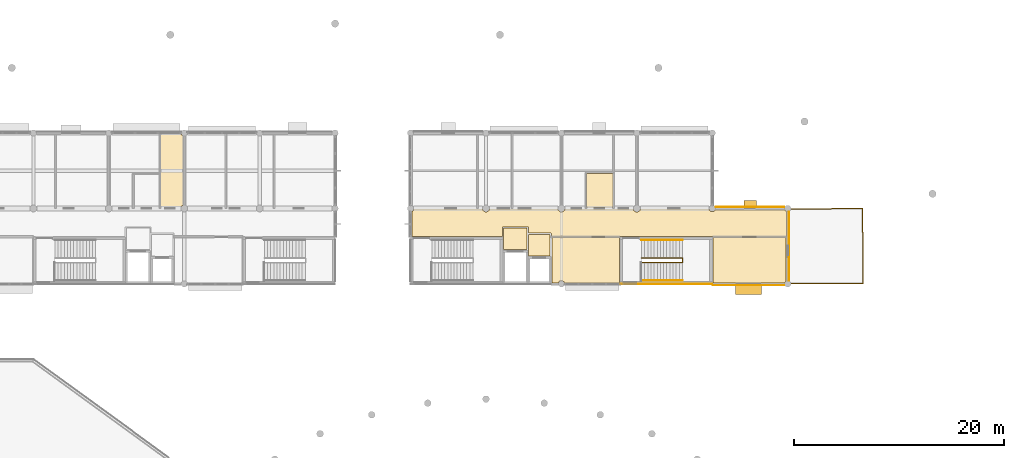
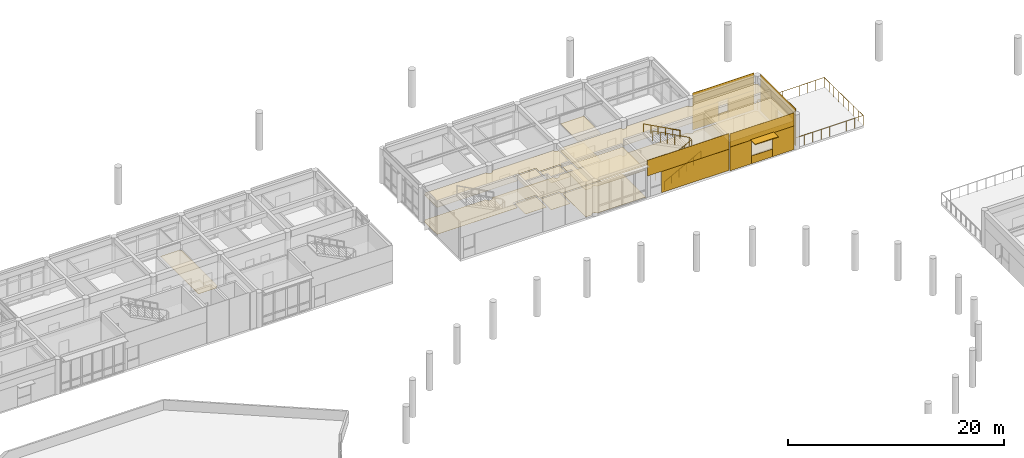
# One storey, part 51 of 55: 26 coverings, 4 railings, 2 shading devices.
"""IFC4 building model written with IfcOpenShell, lengths in metres."""

from ifc_helpers import new_model, si_unit, direction, frame, origin, origin_2d, place, context, subcontext, project, spatial, polyline, rectangle, circle, outline, extrude, material, layer, layer_set, type_object, element, save


model = new_model("IFC4")

# Units and contexts
model_context = context("Model", 3, precision=1e-05, world=origin(), true_north=direction((0.0, 1.0)))
body_context = subcontext(model_context, "Body", "Model", "MODEL_VIEW")
ifc_project = project(units=[si_unit("LENGTHUNIT", "METRE"), si_unit("AREAUNIT", "SQUARE_METRE"), si_unit("VOLUMEUNIT", "CUBIC_METRE"), si_unit("PLANEANGLEUNIT", "RADIAN"), si_unit("MASSUNIT", "GRAM", prefix="KILO")], contexts=[model_context])

# Site, building, storey
site_placement = place(None, origin())
site = spatial("IfcSite", under=ifc_project, at=site_placement, CompositionType="ELEMENT")
building_placement = place(site_placement, origin())
building = spatial("IfcBuilding", under=site, at=building_placement, Name="Namkhue Oval Health Centre", CompositionType="ELEMENT")
storey_placement = place(building_placement, frame((0.0, 0.0, 9.60009765625)))
storey = spatial("IfcBuildingStorey", under=building, at=storey_placement, Name="L02", CompositionType="ELEMENT", Elevation=9.60009765625)

# Coverings
ifc_material_1 = material(Name="Acoustic mineral-fibre cleanroom ceiling", Category="gypsum")
ifc_layer_1 = layer(ifc_material_1, 0.02001953125)
ifc_layer_set_1 = layer_set([ifc_layer_1], Name="Acoustic mineral-fibre cleanroom ceiling")
covering_type_1 = type_object("IfcCoveringType", Name="ACOUSTIC CLEANROOM CEILING 20", PredefinedType="CEILING", material=ifc_layer_set_1)
covering_1_placement = place(storey_placement, frame((0.0, 0.0, 3.0498046875)))
element("IfcCovering", 1, at=covering_1_placement, inside=storey, type_object=covering_type_1, Name="Acoustic Ceiling L02-LL3 Lift Lobby LF-03", PredefinedType="CEILING", context=body_context, shape_type="SweptSolid", body=[
    extrude(outline(polyline([(102.47998046875, 93.280029296875), (102.47998046875, 95.320068359375), (104.719970703125, 95.320068359375), (104.719970703125, 93.280029296875), (102.47998046875, 93.280029296875)])), origin(), (0.0, 0.0, 1.0), 0.02001953125),
])
covering_2_placement = place(storey_placement, frame((0.0, 0.0, 3.0498046875)))
element("IfcCovering", 2, at=covering_2_placement, inside=storey, type_object=covering_type_1, Name="Acoustic Ceiling L02-LL4 Lift Lobby LF-04", PredefinedType="CEILING", context=body_context, shape_type="SweptSolid", body=[
    extrude(outline(polyline([(104.8798828125, 92.679931640625), (104.8798828125, 94.719970703125), (106.919921875, 94.719970703125), (106.919921875, 92.679931640625), (104.8798828125, 92.679931640625)])), origin(), (0.0, 0.0, 1.0), 0.02001953125),
])
covering_3_placement = place(storey_placement, frame((0.0, 0.0, 3.0498046875)))
element("IfcCovering", 3, at=covering_3_placement, inside=storey, type_object=covering_type_1, Name="Acoustic Ceiling L02-V3-C1 V3 Clinical Corridor", PredefinedType="CEILING", context=body_context, shape_type="SweptSolid", body=[
    extrude(outline(polyline([(107.0400390625, 94.800048828125), (107.037109375, 94.815185546875), (107.0283203125, 94.828369140625), (107.015380859375, 94.8369140625), (107.0, 94.840087890625), (104.840087890625, 94.840087890625), (104.83984375, 95.40380859375), (104.8369140625, 95.415283203125), (104.828369140625, 95.42822265625), (104.815185546875, 95.43701171875), (104.803955078125, 95.439697265625), (102.39990234375, 95.43994140625), (102.384765625, 95.43701171875), (102.37158203125, 95.42822265625), (102.363037109375, 95.415283203125), (102.360107421875, 95.39990234375), (102.360107421875, 94.5400390625), (93.72509765625, 94.5400390625), (93.72509765625, 96.919189453125), (93.7548828125, 96.931396484375), (93.819091796875, 96.980712890625), (93.868408203125, 97.044921875), (93.8994140625, 97.119873046875), (93.90478515625, 97.159912109375), (100.47021484375, 97.159912109375), (100.476318359375, 97.11328125), (100.510009765625, 97.032470703125), (100.56298828125, 96.963134765625), (100.632568359375, 96.909912109375), (100.71337890625, 96.87646484375), (100.800048828125, 96.864990234375), (100.88671875, 96.87646484375), (100.967529296875, 96.909912109375), (101.036865234375, 96.963134765625), (101.090087890625, 97.032470703125), (101.12353515625, 97.11328125), (101.129638671875, 97.159912109375), (107.67041015625, 97.159912109375), (107.676513671875, 97.11328125), (107.7099609375, 97.032470703125), (107.76318359375, 96.963134765625), (107.83251953125, 96.909912109375), (107.913330078125, 96.87646484375), (108.0, 96.864990234375), (108.086669921875, 96.87646484375), (108.16748046875, 96.909912109375), (108.23681640625, 96.963134765625), (108.2900390625, 97.032470703125), (108.323486328125, 97.11328125), (108.32958984375, 97.159912109375), (114.870361328125, 97.159912109375), (114.87646484375, 97.11328125), (114.909912109375, 97.032470703125), (114.963134765625, 96.963134765625), (115.032470703125, 96.909912109375), (115.11328125, 96.87646484375), (115.199951171875, 96.864990234375), (115.28662109375, 96.87646484375), (115.367431640625, 96.909912109375), (115.43701171875, 96.963134765625), (115.489990234375, 97.032470703125), (115.523681640625, 97.11328125), (115.52978515625, 97.159912109375), (122.09521484375, 97.159912109375), (122.1005859375, 97.119873046875), (122.131591796875, 97.044921875), (122.180908203125, 96.980712890625), (122.2451171875, 96.931396484375), (122.31982421875, 96.900634765625), (122.39990234375, 96.889892578125), (122.480224609375, 96.900634765625), (122.554931640625, 96.931396484375), (122.619140625, 96.980712890625), (122.66845703125, 97.044921875), (122.680908203125, 97.074951171875), (129.319091796875, 97.074951171875), (129.33154296875, 97.044921875), (129.380859375, 96.980712890625), (129.445068359375, 96.931396484375), (129.47509765625, 96.919189453125), (129.47509765625, 94.5400390625), (107.0400390625, 94.5400390625), (107.0400390625, 94.800048828125)])), origin(), (0.0, 0.0, 1.0), 0.02001953125),
])
covering_4_placement = place(storey_placement, frame((0.0, 0.0, 3.0498046875)))
element("IfcCovering", 4, at=covering_4_placement, inside=storey, type_object=covering_type_1, Name="Acoustic Ceiling L02-305 Accessible WC", PredefinedType="CEILING", context=body_context, shape_type="SweptSolid", body=[
    extrude(outline(polyline([(112.89990234375, 100.5400390625), (112.89990234375, 97.280029296875), (110.39990234375, 97.280029296875), (110.39990234375, 100.5400390625), (112.89990234375, 100.5400390625)])), origin(), (0.0, 0.0, 1.0), 0.02001953125),
])
covering_5_placement = place(storey_placement, frame((0.0, 0.0, 3.0498046875)))
element("IfcCovering", 5, at=covering_5_placement, inside=storey, type_object=covering_type_1, Name="Acoustic Ceiling L02-308 East Terrace Recovery Lounge", PredefinedType="CEILING", context=body_context, shape_type="SweptSolid", body=[
    extrude(outline(polyline([(108.297607421875, 90.0849609375), (108.2685546875, 90.155029296875), (108.21923828125, 90.21923828125), (108.155029296875, 90.2685546875), (108.080078125, 90.29931640625), (108.0, 90.31005859375), (107.919921875, 90.29931640625), (107.844970703125, 90.2685546875), (107.78076171875, 90.21923828125), (107.7314453125, 90.155029296875), (107.702392578125, 90.0849609375), (107.080078125, 90.0849609375), (107.080078125, 94.419921875), (113.52001953125, 94.419921875), (113.52001953125, 90.0849609375), (108.297607421875, 90.0849609375)])), origin(), (0.0, 0.0, 1.0), 0.02001953125),
])
covering_6_placement = place(storey_placement, frame((0.0, 0.0, 3.0498046875)))
element("IfcCovering", 6, at=covering_6_placement, inside=storey, type_object=covering_type_1, Name="Acoustic Ceiling L02-309 Hepatology Consultation Suite", PredefinedType="CEILING", context=body_context, shape_type="SweptSolid", body=[
    extrude(outline(polyline([(122.47998046875, 90.0849609375), (122.47998046875, 94.419921875), (129.455078125, 94.419921875), (129.455078125, 90.272705078125), (129.445068359375, 90.2685546875), (129.380859375, 90.21923828125), (129.33154296875, 90.155029296875), (129.302490234375, 90.0849609375), (122.47998046875, 90.0849609375)])), origin(), (0.0, 0.0, 1.0), 0.02001953125),
])
ifc_material_2 = material(Name="Homogeneous anti-bacterial clinical vinyl flooring", Category="plastic")
ifc_layer_2 = layer(ifc_material_2, 0.014892578125)
ifc_layer_set_2 = layer_set([ifc_layer_2], Name="Homogeneous anti-bacterial clinical vinyl flooring")
covering_type_2 = type_object("IfcCoveringType", Name="CLINICAL ANTIBACTERIAL VINYL FLOORING 15", PredefinedType="FLOORING", material=ifc_layer_set_2)
covering_7_placement = place(storey_placement, origin())
element("IfcCovering", 7, at=covering_7_placement, inside=storey, type_object=covering_type_2, Name="Clinical Flooring L02-LL3 Lift Lobby LF-03", PredefinedType="FLOORING", context=body_context, shape_type="SweptSolid", body=[
    extrude(outline(polyline([(102.47998046875, 93.280029296875), (102.47998046875, 95.320068359375), (104.719970703125, 95.320068359375), (104.719970703125, 93.280029296875), (102.47998046875, 93.280029296875)])), origin(), (0.0, 0.0, 1.0), 0.014892578125),
])
covering_8_placement = place(storey_placement, origin())
element("IfcCovering", 8, at=covering_8_placement, inside=storey, type_object=covering_type_2, Name="Clinical Flooring L02-LL4 Lift Lobby LF-04", PredefinedType="FLOORING", context=body_context, shape_type="SweptSolid", body=[
    extrude(outline(polyline([(104.8798828125, 92.679931640625), (104.8798828125, 94.719970703125), (106.919921875, 94.719970703125), (106.919921875, 92.679931640625), (104.8798828125, 92.679931640625)])), origin(), (0.0, 0.0, 1.0), 0.014892578125),
])
covering_9_placement = place(storey_placement, origin())
element("IfcCovering", 9, at=covering_9_placement, inside=storey, type_object=covering_type_2, Name="Clinical Flooring L02-205 Public Washroom", PredefinedType="FLOORING", context=body_context, shape_type="SweptSolid", body=[
    extrude(outline(polyline([(69.739990234375, 97.280029296875), (69.739990234375, 104.31494140625), (71.702392578125, 104.31494140625), (71.7314453125, 104.2451171875), (71.78076171875, 104.180908203125), (71.844970703125, 104.131591796875), (71.919921875, 104.1005859375), (71.929931640625, 104.09912109375), (71.929931640625, 97.52587890625), (71.913330078125, 97.523681640625), (71.83251953125, 97.489990234375), (71.76318359375, 97.43701171875), (71.7099609375, 97.367431640625), (71.675537109375, 97.280029296875), (69.739990234375, 97.280029296875)])), origin(), (0.0, 0.0, 1.0), 0.014892578125),
])
covering_10_placement = place(storey_placement, origin())
element("IfcCovering", 10, at=covering_10_placement, inside=storey, type_object=covering_type_2, Name="Clinical Flooring L02-V3-C1 V3 Clinical Corridor", PredefinedType="FLOORING", context=body_context, shape_type="SweptSolid", body=[
    extrude(outline(polyline([(107.0400390625, 94.800048828125), (107.037109375, 94.815185546875), (107.0283203125, 94.828369140625), (107.015380859375, 94.8369140625), (107.0, 94.840087890625), (104.840087890625, 94.840087890625), (104.83984375, 95.40380859375), (104.8369140625, 95.415283203125), (104.828369140625, 95.42822265625), (104.815185546875, 95.43701171875), (104.803955078125, 95.439697265625), (102.39990234375, 95.43994140625), (102.384765625, 95.43701171875), (102.37158203125, 95.42822265625), (102.363037109375, 95.415283203125), (102.360107421875, 95.39990234375), (102.360107421875, 94.5400390625), (93.72509765625, 94.5400390625), (93.72509765625, 96.919189453125), (93.7548828125, 96.931396484375), (93.819091796875, 96.980712890625), (93.868408203125, 97.044921875), (93.8994140625, 97.119873046875), (93.90478515625, 97.159912109375), (100.47021484375, 97.159912109375), (100.476318359375, 97.11328125), (100.510009765625, 97.032470703125), (100.56298828125, 96.963134765625), (100.632568359375, 96.909912109375), (100.71337890625, 96.87646484375), (100.800048828125, 96.864990234375), (100.88671875, 96.87646484375), (100.967529296875, 96.909912109375), (101.036865234375, 96.963134765625), (101.090087890625, 97.032470703125), (101.12353515625, 97.11328125), (101.129638671875, 97.159912109375), (107.67041015625, 97.159912109375), (107.676513671875, 97.11328125), (107.7099609375, 97.032470703125), (107.76318359375, 96.963134765625), (107.83251953125, 96.909912109375), (107.913330078125, 96.87646484375), (108.0, 96.864990234375), (108.086669921875, 96.87646484375), (108.16748046875, 96.909912109375), (108.23681640625, 96.963134765625), (108.2900390625, 97.032470703125), (108.323486328125, 97.11328125), (108.32958984375, 97.159912109375), (114.870361328125, 97.159912109375), (114.87646484375, 97.11328125), (114.909912109375, 97.032470703125), (114.963134765625, 96.963134765625), (115.032470703125, 96.909912109375), (115.11328125, 96.87646484375), (115.199951171875, 96.864990234375), (115.28662109375, 96.87646484375), (115.367431640625, 96.909912109375), (115.43701171875, 96.963134765625), (115.489990234375, 97.032470703125), (115.523681640625, 97.11328125), (115.52978515625, 97.159912109375), (122.09521484375, 97.159912109375), (122.1005859375, 97.119873046875), (122.131591796875, 97.044921875), (122.180908203125, 96.980712890625), (122.2451171875, 96.931396484375), (122.31982421875, 96.900634765625), (122.39990234375, 96.889892578125), (122.480224609375, 96.900634765625), (122.554931640625, 96.931396484375), (122.619140625, 96.980712890625), (122.66845703125, 97.044921875), (122.680908203125, 97.074951171875), (129.319091796875, 97.074951171875), (129.33154296875, 97.044921875), (129.380859375, 96.980712890625), (129.445068359375, 96.931396484375), (129.47509765625, 96.919189453125), (129.47509765625, 94.5400390625), (107.0400390625, 94.5400390625), (107.0400390625, 94.800048828125)])), origin(), (0.0, 0.0, 1.0), 0.014892578125),
])
covering_11_placement = place(storey_placement, origin())
element("IfcCovering", 11, at=covering_11_placement, inside=storey, type_object=covering_type_2, Name="Clinical Flooring L02-305 Accessible WC", PredefinedType="FLOORING", context=body_context, shape_type="SweptSolid", body=[
    extrude(outline(polyline([(112.89990234375, 100.5400390625), (112.89990234375, 97.280029296875), (110.39990234375, 97.280029296875), (110.39990234375, 100.5400390625), (112.89990234375, 100.5400390625)])), origin(), (0.0, 0.0, 1.0), 0.014892578125),
])
covering_12_placement = place(storey_placement, origin())
element("IfcCovering", 12, at=covering_12_placement, inside=storey, type_object=covering_type_2, Name="Clinical Flooring L02-308 East Terrace Recovery Lounge", PredefinedType="FLOORING", context=body_context, shape_type="SweptSolid", body=[
    extrude(outline(polyline([(108.297607421875, 90.0849609375), (108.2685546875, 90.155029296875), (108.21923828125, 90.21923828125), (108.155029296875, 90.2685546875), (108.080078125, 90.29931640625), (108.0, 90.31005859375), (107.919921875, 90.29931640625), (107.844970703125, 90.2685546875), (107.78076171875, 90.21923828125), (107.7314453125, 90.155029296875), (107.702392578125, 90.0849609375), (107.080078125, 90.0849609375), (107.080078125, 94.419921875), (113.52001953125, 94.419921875), (113.52001953125, 90.0849609375), (108.297607421875, 90.0849609375)])), origin(), (0.0, 0.0, 1.0), 0.014892578125),
])
covering_13_placement = place(storey_placement, origin())
element("IfcCovering", 13, at=covering_13_placement, inside=storey, type_object=covering_type_2, Name="Clinical Flooring L02-309 Hepatology Consultation Suite", PredefinedType="FLOORING", context=body_context, shape_type="SweptSolid", body=[
    extrude(outline(polyline([(122.47998046875, 90.0849609375), (122.47998046875, 94.419921875), (129.455078125, 94.419921875), (129.455078125, 90.272705078125), (129.445068359375, 90.2685546875), (129.380859375, 90.21923828125), (129.33154296875, 90.155029296875), (129.302490234375, 90.0849609375), (122.47998046875, 90.0849609375)])), origin(), (0.0, 0.0, 1.0), 0.014892578125),
])

# Railings
ifc_material_3 = material(Name="Brushed stainless steel 316L balustrade with laminated glass infill", Category="steel")
railing_type_1 = type_object("IfcRailingType", Name="EXTERIOR BALUSTRADE GUARD 1150", PredefinedType="BALUSTRADE", material=ifc_material_3)
railing_1_placement = place(storey_placement, frame((129.60009765625, 90.06005859375, 0.0)))
element("IfcRailing", 14, at=railing_1_placement, inside=storey, type_object=railing_type_1, Name="Volume V3 L02 Terrace Balustrade Guard 1", PredefinedType="BALUSTRADE", context=body_context, shape_type="SweptSolid", body=[
    extrude(circle(Radius=0.02392578125, at=origin_2d()), frame((0.0, 0.0, 1.1259765625), z_axis=(1.0, 0.0, 0.0), x_axis=(0.0, 1.0, 0.0)), (0.0, 0.0, 1.0), 7.199951171875),
    extrude(circle(Radius=0.02392578125, at=origin_2d()), frame((7.199951171875, 0.0, 1.1259765625), z_axis=(-0.008411396731, 0.999964623577, 0.0), x_axis=(-0.999964623577, -0.008411396731, 0.0)), (0.0, 0.0, 1.0), 7.14013671875),
    extrude(circle(Radius=0.02392578125, at=origin_2d()), frame((7.139892578125, 7.139892578125, 1.1259765625), z_axis=(-0.999964623577, -0.008411396731, 0.0), x_axis=(0.008411396731, -0.999964623577, 0.0)), (0.0, 0.0, 1.0), 7.14013671875),
    extrude(circle(Radius=0.02099609375, at=origin_2d()), origin(), (0.0, 0.0, 1.0), 1.101806640625),
    extrude(circle(Radius=0.02099609375, at=origin_2d()), frame((0.89990234375, 0.0, 0.0)), (0.0, 0.0, 1.0), 1.101806640625),
    extrude(circle(Radius=0.02099609375, at=origin_2d()), frame((1.800048828125, 0.0, 0.0)), (0.0, 0.0, 1.0), 1.101806640625),
    extrude(circle(Radius=0.02099609375, at=origin_2d()), frame((2.699951171875, 0.0, 0.0)), (0.0, 0.0, 1.0), 1.101806640625),
    extrude(circle(Radius=0.02099609375, at=origin_2d()), frame((3.60009765625, 0.0, 0.0)), (0.0, 0.0, 1.0), 1.101806640625),
    extrude(circle(Radius=0.02099609375, at=origin_2d()), frame((4.5, 0.0, 0.0)), (0.0, 0.0, 1.0), 1.101806640625),
    extrude(circle(Radius=0.02099609375, at=origin_2d()), frame((5.39990234375, 0.0, 0.0)), (0.0, 0.0, 1.0), 1.101806640625),
    extrude(circle(Radius=0.02099609375, at=origin_2d()), frame((6.300048828125, 0.0, 0.0)), (0.0, 0.0, 1.0), 1.101806640625),
    extrude(circle(Radius=0.02099609375, at=origin_2d()), frame((7.199951171875, 0.0, 0.0)), (0.0, 0.0, 1.0), 1.101806640625),
    extrude(circle(Radius=0.02099609375, at=origin_2d()), frame((7.1923828125, 0.892578125, 0.0)), (0.0, 0.0, 1.0), 1.101806640625),
    extrude(circle(Radius=0.02099609375, at=origin_2d()), frame((7.18505859375, 1.784912109375, 0.0)), (0.0, 0.0, 1.0), 1.101806640625),
    extrude(circle(Radius=0.02099609375, at=origin_2d()), frame((7.177490234375, 2.677490234375, 0.0)), (0.0, 0.0, 1.0), 1.101806640625),
    extrude(circle(Radius=0.02099609375, at=origin_2d()), frame((7.169921875, 3.56982421875, 0.0)), (0.0, 0.0, 1.0), 1.101806640625),
    extrude(circle(Radius=0.02099609375, at=origin_2d()), frame((7.162353515625, 4.46240234375, 0.0)), (0.0, 0.0, 1.0), 1.101806640625),
    extrude(circle(Radius=0.02099609375, at=origin_2d()), frame((7.15478515625, 5.35498046875, 0.0)), (0.0, 0.0, 1.0), 1.101806640625),
    extrude(circle(Radius=0.02099609375, at=origin_2d()), frame((7.1474609375, 6.247314453125, 0.0)), (0.0, 0.0, 1.0), 1.101806640625),
    extrude(circle(Radius=0.02099609375, at=origin_2d()), frame((7.139892578125, 7.139892578125, 0.0)), (0.0, 0.0, 1.0), 1.101806640625),
    extrude(circle(Radius=0.02099609375, at=origin_2d()), frame((6.247314453125, 7.13232421875, 0.0)), (0.0, 0.0, 1.0), 1.101806640625),
    extrude(circle(Radius=0.02099609375, at=origin_2d()), frame((5.35498046875, 7.125, 0.0)), (0.0, 0.0, 1.0), 1.101806640625),
    extrude(circle(Radius=0.02099609375, at=origin_2d()), frame((4.46240234375, 7.117431640625, 0.0)), (0.0, 0.0, 1.0), 1.101806640625),
    extrude(circle(Radius=0.02099609375, at=origin_2d()), frame((3.56982421875, 7.10986328125, 0.0)), (0.0, 0.0, 1.0), 1.101806640625),
    extrude(circle(Radius=0.02099609375, at=origin_2d()), frame((2.677490234375, 7.102294921875, 0.0)), (0.0, 0.0, 1.0), 1.101806640625),
    extrude(circle(Radius=0.02099609375, at=origin_2d()), frame((1.784912109375, 7.0947265625, 0.0)), (0.0, 0.0, 1.0), 1.101806640625),
    extrude(circle(Radius=0.02099609375, at=origin_2d()), frame((0.892578125, 7.08740234375, 0.0)), (0.0, 0.0, 1.0), 1.101806640625),
    extrude(circle(Radius=0.02099609375, at=origin_2d()), frame((0.0, 7.079833984375, 0.0)), (0.0, 0.0, 1.0), 1.101806640625),
])
railing_type_2 = type_object("IfcRailingType", Name="INTERIOR BALUSTRADE GUARD 1150", PredefinedType="BALUSTRADE", material=ifc_material_3)
railing_2_placement = place(storey_placement, frame((115.64990234375, 92.0400390625, 0.0)))
element("IfcRailing", 15, at=railing_2_placement, inside=storey, type_object=railing_type_2, Name="Stair ST-06 L02 Inner Well Guard", PredefinedType="BALUSTRADE", context=body_context, shape_type="SweptSolid", body=[
    extrude(circle(Radius=0.02392578125, at=origin_2d()), frame((0.0, 0.0, 1.1259765625), z_axis=(0.88049233674, 0.0, 0.474060381114), x_axis=(0.0, 1.0, 0.0)), (0.0, 0.0, 1.0), 4.429443359375),
    extrude(circle(Radius=0.02392578125, at=origin_2d()), frame((3.900146484375, 0.0, 3.2255859375), z_axis=(0.0, 1.0, 0.0), x_axis=(-1.0, 0.0, 0.0)), (0.0, 0.0, 1.0), 0.419921875),
    extrude(circle(Radius=0.02392578125, at=origin_2d()), frame((3.900146484375, 0.419921875, 3.2255859375), z_axis=(-0.880469330154, 0.0, 0.474103109733), x_axis=(0.0, -1.0, 0.0)), (0.0, 0.0, 1.0), 4.4296875),
    extrude(circle(Radius=0.02099609375, at=origin_2d()), origin(), (0.0, 0.0, 1.0), 1.101806640625),
    extrude(circle(Radius=0.02099609375, at=origin_2d()), frame((0.780029296875, 0.0, 0.419921875)), (0.0, 0.0, 1.0), 1.101806640625),
    extrude(circle(Radius=0.02099609375, at=origin_2d()), frame((1.56005859375, 0.0, 0.83984375)), (0.0, 0.0, 1.0), 1.101806640625),
    extrude(circle(Radius=0.02099609375, at=origin_2d()), frame((2.340087890625, 0.0, 1.260009765625)), (0.0, 0.0, 1.0), 1.101806640625),
    extrude(circle(Radius=0.02099609375, at=origin_2d()), frame((3.1201171875, 0.0, 1.679931640625)), (0.0, 0.0, 1.0), 1.101806640625),
    extrude(circle(Radius=0.02099609375, at=origin_2d()), frame((3.900146484375, 0.0, 2.099853515625)), (0.0, 0.0, 1.0), 1.101806640625),
    extrude(circle(Radius=0.02099609375, at=origin_2d()), frame((3.900146484375, 0.419921875, 2.099853515625)), (0.0, 0.0, 1.0), 1.101806640625),
    extrude(circle(Radius=0.02099609375, at=origin_2d()), frame((3.1201171875, 0.419921875, 2.519775390625)), (0.0, 0.0, 1.0), 1.101806640625),
    extrude(circle(Radius=0.02099609375, at=origin_2d()), frame((2.340087890625, 0.419921875, 2.93994140625)), (0.0, 0.0, 1.0), 1.101806640625),
    extrude(circle(Radius=0.02099609375, at=origin_2d()), frame((1.56005859375, 0.419921875, 3.35986328125)), (0.0, 0.0, 1.0), 1.101806640625),
    extrude(circle(Radius=0.02099609375, at=origin_2d()), frame((0.780029296875, 0.419921875, 3.780029296875)), (0.0, 0.0, 1.0), 1.101806640625),
    extrude(circle(Radius=0.02099609375, at=origin_2d()), frame((0.0, 0.419921875, 4.199951171875)), (0.0, 0.0, 1.0), 1.101806640625),
])
ifc_material_4 = material(Name="Brushed stainless steel 304 tubular handrail", Category="steel")
railing_type_3 = type_object("IfcRailingType", Name="INTERIOR STAIR HANDRAIL 900", PredefinedType="HANDRAIL", material=ifc_material_4)
railing_3_placement = place(storey_placement, frame((115.64990234375, 90.320068359375, 0.0)))
element("IfcRailing", 16, at=railing_3_placement, inside=storey, type_object=railing_type_3, Name="Stair ST-06 L02 Flight 1 Handrail", PredefinedType="HANDRAIL", context=body_context, shape_type="SweptSolid", body=[
    extrude(circle(Radius=0.02392578125, at=origin_2d()), frame((0.0, 0.0, 0.8759765625), z_axis=(0.88049233674, 0.0, 0.474060381114), x_axis=(0.0, 1.0, 0.0)), (0.0, 0.0, 1.0), 4.429443359375),
    extrude(circle(Radius=0.02099609375, at=origin_2d()), origin(), (0.0, 0.0, 1.0), 0.851806640625),
    extrude(circle(Radius=0.02099609375, at=origin_2d()), frame((0.780029296875, 0.0, 0.419921875)), (0.0, 0.0, 1.0), 0.851806640625),
    extrude(circle(Radius=0.02099609375, at=origin_2d()), frame((1.56005859375, 0.0, 0.83984375)), (0.0, 0.0, 1.0), 0.851806640625),
    extrude(circle(Radius=0.02099609375, at=origin_2d()), frame((2.340087890625, 0.0, 1.260009765625)), (0.0, 0.0, 1.0), 0.851806640625),
    extrude(circle(Radius=0.02099609375, at=origin_2d()), frame((3.1201171875, 0.0, 1.679931640625)), (0.0, 0.0, 1.0), 0.851806640625),
    extrude(circle(Radius=0.02099609375, at=origin_2d()), frame((3.900146484375, 0.0, 2.099853515625)), (0.0, 0.0, 1.0), 0.851806640625),
])
railing_4_placement = place(storey_placement, frame((119.550048828125, 94.179931640625, 2.099853515625)))
element("IfcRailing", 17, at=railing_4_placement, inside=storey, type_object=railing_type_3, Name="Stair ST-06 L02 Flight 2 Handrail", PredefinedType="HANDRAIL", context=body_context, shape_type="SweptSolid", body=[
    extrude(circle(Radius=0.02392578125, at=origin_2d()), frame((0.0, 0.0, 0.8759765625), z_axis=(-0.880469330154, 0.0, 0.474103109733), x_axis=(0.0, -1.0, 0.0)), (0.0, 0.0, 1.0), 4.4296875),
    extrude(circle(Radius=0.02099609375, at=origin_2d()), origin(), (0.0, 0.0, 1.0), 0.851806640625),
    extrude(circle(Radius=0.02099609375, at=origin_2d()), frame((-0.780029296875, 0.0, 0.419921875)), (0.0, 0.0, 1.0), 0.851806640625),
    extrude(circle(Radius=0.02099609375, at=origin_2d()), frame((-1.56005859375, 0.0, 0.840087890625)), (0.0, 0.0, 1.0), 0.851806640625),
    extrude(circle(Radius=0.02099609375, at=origin_2d()), frame((-2.340087890625, 0.0, 1.260009765625)), (0.0, 0.0, 1.0), 0.851806640625),
    extrude(circle(Radius=0.02099609375, at=origin_2d()), frame((-3.1201171875, 0.0, 1.68017578125)), (0.0, 0.0, 1.0), 0.851806640625),
    extrude(circle(Radius=0.02099609375, at=origin_2d()), frame((-3.900146484375, 0.0, 2.10009765625)), (0.0, 0.0, 1.0), 0.851806640625),
])

# Shading devices
ifc_material_5 = material(Name="Anodised aluminium EN AW-6063 T6", Category="aluminium")
ifc_layer_3 = layer(ifc_material_5, 0.06005859375)
ifc_layer_set_3 = layer_set([ifc_layer_3], Name="Anodised aluminium EN AW-6063 T6")
shading_device_type_1 = type_object("IfcShadingDeviceType", Name="MONSOON SUN LOUVRE 900", PredefinedType="JALOUSIE", material=ifc_layer_set_3)
shading_device_1_placement = place(storey_placement, frame((125.853515625, 89.449951171875, 2.699951171875), z_axis=(0.0, 0.0, 1.0), x_axis=(1.0, 0.0, 0.0)))
element("IfcShadingDevice", 18, at=shading_device_1_placement, inside=storey, type_object=shading_device_type_1, Name="Volume V3 L02 Window Monsoon Louvre 146", PredefinedType="JALOUSIE", context=body_context, shape_type="SweptSolid", body=[
    extrude(rectangle(XDim=2.489990234375, YDim=0.89990234375, at=origin_2d()), origin(), (0.0, 0.0, 1.0), 0.06005859375),
])
ifc_layer_4 = layer(ifc_material_5, 0.050048828125)
ifc_layer_set_4 = layer_set([ifc_layer_4], Name="Anodised aluminium EN AW-6063 T6")
shading_device_type_2 = type_object("IfcShadingDeviceType", Name="STORM SHUTTER LOUVRE 650", PredefinedType="SHUTTER", material=ifc_layer_set_4)
shading_device_2_placement = place(storey_placement, frame((126.0, 97.635009765625, 2.219970703125), z_axis=(0.0, 0.0, 1.0), x_axis=(-1.0, 0.0, 0.0)))
element("IfcShadingDevice", 19, at=shading_device_2_placement, inside=storey, type_object=shading_device_type_2, Name="Volume V3 L02 Window Monsoon Louvre 147", PredefinedType="SHUTTER", context=body_context, shape_type="SweptSolid", body=[
    extrude(rectangle(XDim=1.18994140625, YDim=0.64990234375, at=origin_2d()), origin(), (0.0, 0.0, 1.0), 0.06005859375),
])

# Coverings
ifc_material_6 = material(Name="White glass-fibre reinforced concrete GRC rainscreen cladding", Category="concrete")
ifc_layer_5 = layer(ifc_material_6, 0.02490234375)
ifc_layer_set_5 = layer_set([ifc_layer_5], Name="White glass-fibre reinforced concrete GRC rainscreen cladding")
covering_type_3 = type_object("IfcCoveringType", Name="WHITE GRC RAINSCREEN CLADDING 25", PredefinedType="CLADDING", material=ifc_layer_set_5)
covering_14_placement = place(storey_placement, frame((125.853515625, 89.8779296875, 2.69482421875), z_axis=(0.0, 0.0, 1.0), x_axis=(1.0, 0.0, 0.0)))
element("IfcCovering", 20, at=covering_14_placement, inside=storey, type_object=covering_type_3, Name="Volume V3 L02 Facade 69 White GRC Cladding 1", PredefinedType="CLADDING", context=body_context, shape_type="SweptSolid", body=[
    extrude(rectangle(XDim=6.863037109375, YDim=0.02490234375, at=origin_2d()), origin(), (0.0, 0.0, 1.0), 1.4951171875),
])
covering_15_placement = place(storey_placement, frame((123.56787109375, 89.8779296875, 0.009765625), z_axis=(0.0, 0.0, 1.0), x_axis=(1.0, 0.0, 0.0)))
element("IfcCovering", 21, at=covering_15_placement, inside=storey, type_object=covering_type_3, Name="Volume V3 L02 Facade 69 White GRC Cladding 2", PredefinedType="CLADDING", context=body_context, shape_type="SweptSolid", body=[
    extrude(rectangle(XDim=2.29150390625, YDim=0.02490234375, at=origin_2d()), origin(), (0.0, 0.0, 1.0), 2.679931640625),
])
covering_16_placement = place(storey_placement, frame((125.853515625, 89.8779296875, 0.010009765625), z_axis=(0.0, 0.0, 1.0), x_axis=(1.0, 0.0, 0.0)))
element("IfcCovering", 22, at=covering_16_placement, inside=storey, type_object=covering_type_3, Name="Volume V3 L02 Facade 69 White GRC Cladding 3", PredefinedType="CLADDING", context=body_context, shape_type="SweptSolid", body=[
    extrude(rectangle(XDim=2.27001953125, YDim=0.02490234375, at=origin_2d()), origin(), (0.0, 0.0, 1.0), 0.875),
])
covering_17_placement = place(storey_placement, frame((128.139404296875, 89.8779296875, 0.009765625), z_axis=(0.0, 0.0, 1.0), x_axis=(1.0, 0.0, 0.0)))
element("IfcCovering", 23, at=covering_17_placement, inside=storey, type_object=covering_type_3, Name="Volume V3 L02 Facade 69 White GRC Cladding 4", PredefinedType="CLADDING", context=body_context, shape_type="SweptSolid", body=[
    extrude(rectangle(XDim=2.29150390625, YDim=0.02490234375, at=origin_2d()), origin(), (0.0, 0.0, 1.0), 2.679931640625),
])
covering_18_placement = place(storey_placement, frame((129.72705078125, 93.60009765625, 2.134765625), z_axis=(0.0, 0.0, 1.0), x_axis=(0.0, 1.0, 0.0)))
element("IfcCovering", 24, at=covering_18_placement, inside=storey, type_object=covering_type_3, Name="Volume V3 L02 Facade 70 White GRC Cladding 1", PredefinedType="CLADDING", context=body_context, shape_type="SweptSolid", body=[
    extrude(rectangle(XDim=6.570068359375, YDim=0.02490234375, at=origin_2d()), origin(), (0.0, 0.0, 1.0), 2.054931640625),
])
covering_19_placement = place(storey_placement, frame((129.72705078125, 91.425048828125, 0.009765625), z_axis=(0.0, 0.0, 1.0), x_axis=(0.0, 1.0, 0.0)))
element("IfcCovering", 25, at=covering_19_placement, inside=storey, type_object=covering_type_3, Name="Volume V3 L02 Facade 70 White GRC Cladding 2", PredefinedType="CLADDING", context=body_context, shape_type="SweptSolid", body=[
    extrude(rectangle(XDim=2.219970703125, YDim=0.02490234375, at=origin_2d()), origin(), (0.0, 0.0, 1.0), 2.1201171875),
])
covering_20_placement = place(storey_placement, frame((129.72705078125, 95.27490234375, 0.009765625), z_axis=(0.0, 0.0, 1.0), x_axis=(0.0, 1.0, 0.0)))
element("IfcCovering", 26, at=covering_20_placement, inside=storey, type_object=covering_type_3, Name="Volume V3 L02 Facade 70 White GRC Cladding 3", PredefinedType="CLADDING", context=body_context, shape_type="SweptSolid", body=[
    extrude(rectangle(XDim=3.219970703125, YDim=0.02490234375, at=origin_2d()), origin(), (0.0, 0.0, 1.0), 2.1201171875),
])
covering_21_placement = place(storey_placement, frame((126.0, 97.33203125, 2.21484375), z_axis=(0.0, 0.0, 1.0), x_axis=(-1.0, 0.0, 0.0)))
element("IfcCovering", 27, at=covering_21_placement, inside=storey, type_object=covering_type_3, Name="Volume V3 L02 Facade 71 White GRC Cladding 1", PredefinedType="CLADDING", context=body_context, shape_type="SweptSolid", body=[
    extrude(rectangle(XDim=6.570068359375, YDim=0.02490234375, at=origin_2d()), origin(), (0.0, 0.0, 1.0), 1.97509765625),
])
covering_22_placement = place(storey_placement, frame((127.887451171875, 97.33203125, 0.009765625), z_axis=(0.0, 0.0, 1.0), x_axis=(-1.0, 0.0, 0.0)))
element("IfcCovering", 28, at=covering_22_placement, inside=storey, type_object=covering_type_3, Name="Volume V3 L02 Facade 71 White GRC Cladding 2", PredefinedType="CLADDING", context=body_context, shape_type="SweptSolid", body=[
    extrude(rectangle(XDim=2.794921875, YDim=0.02490234375, at=origin_2d()), origin(), (0.0, 0.0, 1.0), 2.199951171875),
])
covering_23_placement = place(storey_placement, frame((126.0, 97.33203125, 0.010009765625), z_axis=(0.0, 0.0, 1.0), x_axis=(-1.0, 0.0, 0.0)))
element("IfcCovering", 29, at=covering_23_placement, inside=storey, type_object=covering_type_3, Name="Volume V3 L02 Facade 71 White GRC Cladding 3", PredefinedType="CLADDING", context=body_context, shape_type="SweptSolid", body=[
    extrude(rectangle(XDim=0.969970703125, YDim=0.02490234375, at=origin_2d()), origin(), (0.0, 0.0, 1.0), 0.875),
])
covering_24_placement = place(storey_placement, frame((124.112548828125, 97.33203125, 0.009765625), z_axis=(0.0, 0.0, 1.0), x_axis=(-1.0, 0.0, 0.0)))
element("IfcCovering", 30, at=covering_24_placement, inside=storey, type_object=covering_type_3, Name="Volume V3 L02 Facade 71 White GRC Cladding 4", PredefinedType="CLADDING", context=body_context, shape_type="SweptSolid", body=[
    extrude(rectangle(XDim=2.794921875, YDim=0.02490234375, at=origin_2d()), origin(), (0.0, 0.0, 1.0), 2.199951171875),
])
covering_25_placement = place(storey_placement, frame((118.0, 89.988037109375, 2.4150390625), z_axis=(0.0, 0.0, 1.0), x_axis=(1.0, 0.0, 0.0)))
element("IfcCovering", 31, at=covering_25_placement, inside=storey, type_object=covering_type_3, Name="Core SC-06 L02 Core S White GRC Cladding 1", PredefinedType="CLADDING", context=body_context, shape_type="SweptSolid", body=[
    extrude(rectangle(XDim=8.760009765625, YDim=0.02490234375, at=origin_2d()), origin(), (0.0, 0.0, 1.0), 1.77490234375),
])
covering_26_placement = place(storey_placement, frame((118.762451171875, 89.988037109375, 0.010009765625), z_axis=(0.0, 0.0, 1.0), x_axis=(1.0, 0.0, 0.0)))
element("IfcCovering", 32, at=covering_26_placement, inside=storey, type_object=covering_type_3, Name="Core SC-06 L02 Core S White GRC Cladding 4", PredefinedType="CLADDING", context=body_context, shape_type="SweptSolid", body=[
    extrude(rectangle(XDim=7.235107421875, YDim=0.02490234375, at=origin_2d()), origin(), (0.0, 0.0, 1.0), 2.39990234375),
])

save(model, "model.ifc")
